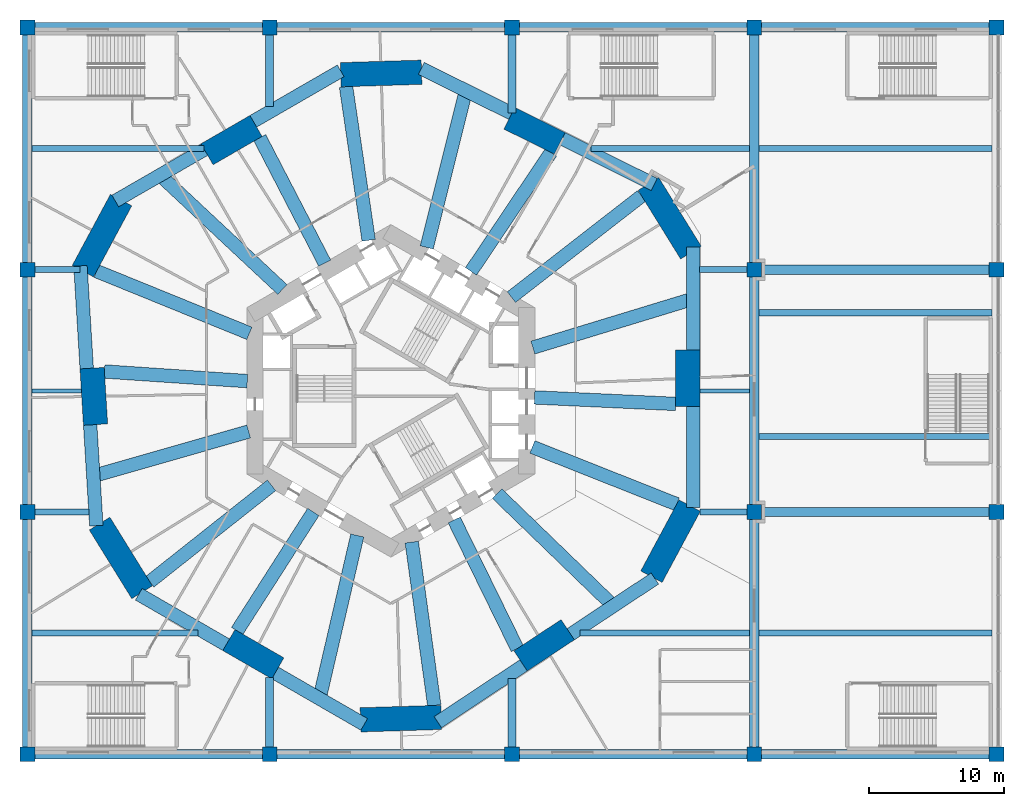
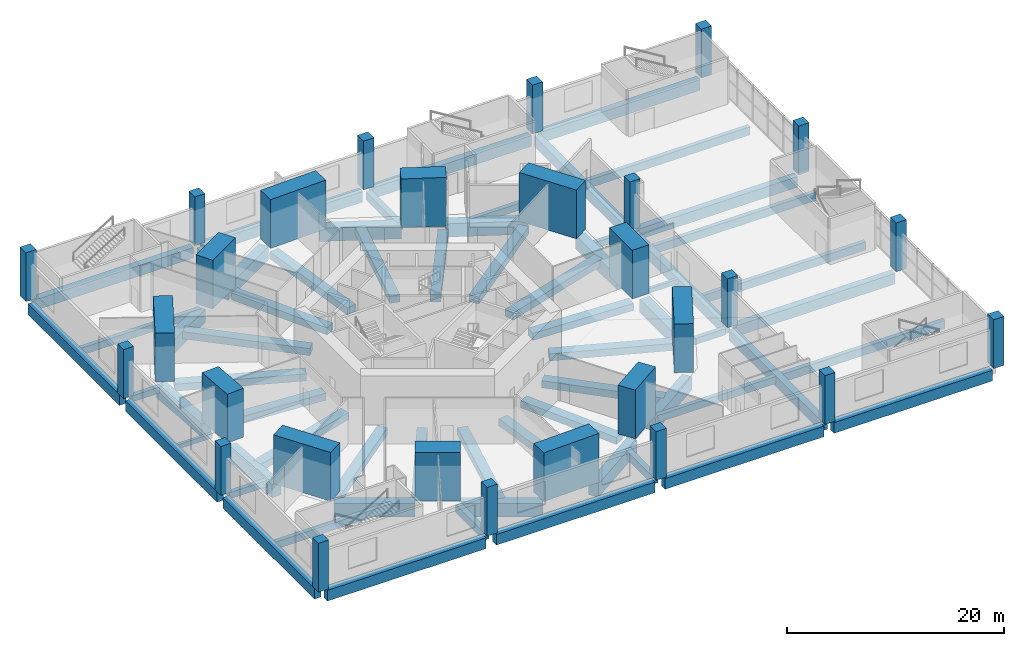
# One storey, part 1 of 16: 64 beams, 28 columns.
"""IFC4 building model written with IfcOpenShell, lengths in metres."""

import ifcopenshell
import ifcopenshell.guid

model = None  # the IFC model being written
_history = None  # IfcOwnerHistory: only IFC2X3 demands one
_inside = {}  # id of a spatial element -> (the spatial element, [elements in it])
_under = {}  # id of a project, library or spatial element -> (it, [spatial elements below it])
_declared = {}  # id of a project -> (the project, [libraries it declares])
_typed = {}  # id of a type object -> (the type object, [elements of that type])
_made_of = {}  # id of a material, layer set ... -> (it, [elements and type objects made of it])


def new_model(schema):
    """Start an empty IFC model of exactly this schema.

    Asked for "IFC4X3", IfcOpenShell would pick the latest addendum, in which some entities
    have other attributes; the version numbers below select the first issue.
    IFC2X3 requires an IfcOwnerHistory on every rooted entity: one is made here for all.
    """
    global model, _history
    if schema == "IFC4X3":
        model = ifcopenshell.file(schema_version=(4, 3, 0, 0))
    else:
        model = ifcopenshell.file(schema=schema)
    _inside.clear()
    _under.clear()
    _declared.clear()
    _typed.clear()
    _made_of.clear()
    _history = None
    if model.schema == "IFC2X3":
        org = make("IfcOrganization", Name="unknown")
        user = make(
            "IfcPersonAndOrganization",
            ThePerson=make("IfcPerson", FamilyName="unknown"),
            TheOrganization=org,
        )
        app = make(
            "IfcApplication",
            ApplicationDeveloper=org,
            Version="unknown",
            ApplicationFullName="unknown",
            ApplicationIdentifier="unknown",
        )
        _history = make(
            "IfcOwnerHistory",
            OwningUser=user,
            OwningApplication=app,
            ChangeAction="ADDED",
            CreationDate=0,
        )
    return model


def make(cls, **values):
    """One entity of the class cls with the attributes given. An attribute that is None is left unset."""
    return model.create_entity(
        cls, **{name: value for name, value in values.items() if value is not None}
    )


def rooted(cls, **values):
    """An entity with a GlobalId (a new one), such as an element, a storey or a relation."""
    return make(cls, GlobalId=ifcopenshell.guid.new(), OwnerHistory=_history, **values)


def si_unit(unit_type, name, prefix=None):
    """IfcSIUnit, for example si_unit("LENGTHUNIT", "METRE", prefix="MILLI")."""
    return make("IfcSIUnit", UnitType=unit_type, Prefix=prefix, Name=name)


def assignment(units):
    """IfcUnitAssignment: the units of a project."""
    return None if units is None else make("IfcUnitAssignment", Units=units)


def point(xyz):
    """IfcCartesianPoint."""
    return None if xyz is None else make("IfcCartesianPoint", Coordinates=xyz)


def direction(xyz):
    """IfcDirection."""
    return None if xyz is None else make("IfcDirection", DirectionRatios=xyz)


def frame(location, z_axis=None, x_axis=None):
    """IfcAxis2Placement3D, a coordinate frame: its origin and axes. An axis left out is left unset."""
    return make(
        "IfcAxis2Placement3D",
        Location=point(location),
        Axis=direction(z_axis),
        RefDirection=direction(x_axis),
    )


def frame_2d(location, x_axis=None):
    """IfcAxis2Placement2D, a coordinate frame in the plane: its origin and x axis."""
    return make(
        "IfcAxis2Placement2D", Location=point(location), RefDirection=direction(x_axis)
    )


def origin():
    """The frame at (0, 0, 0) with its axes left unset."""
    return frame((0.0, 0.0, 0.0))


def origin_2d():
    """The frame at (0, 0) in the plane with its x axis left unset."""
    return frame_2d((0.0, 0.0))


def place(relative_to, where):
    """IfcLocalPlacement: puts the frame where relative to a parent placement (None: the world)."""
    return make(
        "IfcLocalPlacement", PlacementRelTo=relative_to, RelativePlacement=where
    )


def context(
    kind, dimensions, precision=None, world=None, true_north=None, identifier=None
):
    """IfcGeometricRepresentationContext, for example the 3D "Model" context."""
    return make(
        "IfcGeometricRepresentationContext",
        ContextIdentifier=identifier,
        ContextType=kind,
        CoordinateSpaceDimension=dimensions,
        Precision=precision,
        WorldCoordinateSystem=world,
        TrueNorth=true_north,
    )


def subcontext(parent, identifier, kind, view, scale=None):
    """IfcGeometricRepresentationSubContext, for example "Body" below "Model"."""
    return make(
        "IfcGeometricRepresentationSubContext",
        ContextIdentifier=identifier,
        ContextType=kind,
        ParentContext=parent,
        TargetScale=scale,
        TargetView=view,
    )


def project(units=None, contexts=None):
    """IfcProject with its units and contexts."""
    return rooted(
        "IfcProject",
        Name="project",
        RepresentationContexts=contexts,
        UnitsInContext=assignment(units),
    )


def spatial(cls, under=None, at=None, **own):
    """A site, building, storey or space (cls), placed at a placement, below another one or the project."""
    s = rooted(cls, ObjectPlacement=at, **own)
    if under is not None:
        _under.setdefault(under.id(), (under, []))[1].append(s)
    return s


def profile(cls, at=None, kind="AREA", **sizes):
    """A parametric profile (cls). Its sizes go by their IFC names, for example OverallWidth=200.0."""
    return make(cls, ProfileType=kind, Position=at, **sizes)


def rectangle(**sizes):
    """IfcRectangleProfileDef."""
    return profile("IfcRectangleProfileDef", **sizes)


def extrude(swept, where, along, depth):
    """IfcExtrudedAreaSolid: the profile swept, set in the frame where, extruded along a direction by depth."""
    return make(
        "IfcExtrudedAreaSolid",
        SweptArea=swept,
        Position=where,
        ExtrudedDirection=direction(along),
        Depth=depth,
    )


def shape(context_of_items, identifier, shape_type, items):
    """IfcShapeRepresentation: the items that make up one representation, for example the "Body"."""
    return make(
        "IfcShapeRepresentation",
        ContextOfItems=context_of_items,
        RepresentationIdentifier=identifier,
        RepresentationType=shape_type,
        Items=items,
    )


def material(Name=None, Category=None):
    """IfcMaterial."""
    return make("IfcMaterial", Name=Name, Category=Category)


def material_profile(
    of_material, cross_section, Name=None, Category=None, Priority=None
):
    """IfcMaterialProfile: a cross section and its material."""
    return make(
        "IfcMaterialProfile",
        Name=Name,
        Material=of_material,
        Profile=cross_section,
        Priority=Priority,
        Category=Category,
    )


def profile_set(profiles, Name=None, composite=None):
    """IfcMaterialProfileSet."""
    return make(
        "IfcMaterialProfileSet",
        Name=Name,
        MaterialProfiles=profiles,
        CompositeProfile=composite,
    )


def made_of(thing, what):
    """Note that an element or type object is made of a material, layer set ...; save() writes the relation."""
    if what is not None:
        _made_of.setdefault(what.id(), (what, []))[1].append(thing)
    return thing


def type_object(cls, material=None, **own):
    """A type object (cls), such as IfcWallType, which elements share."""
    return made_of(rooted(cls, **own), material)


def element(
    cls,
    number,
    at=None,
    inside=None,
    cuts=None,
    type_object=None,
    material=None,
    context=None,
    identifier="Body",
    shape_type=None,
    held_by="IfcProductDefinitionShape",
    body=None,
    shapes=None,
    **own,
):
    """One element of the class cls, such as IfcWall. Its Tag is "e" and its number.

    at: its placement. inside: the storey or other place that contains it. cuts: it is an
    opening in that element (IfcRelVoidsElement). A single representation is given by context,
    identifier, shape_type and body (its items); several are given by shapes. held_by: the class
    of the entity that holds the representations. save() writes the other relations.
    """
    e = rooted(cls, Tag="e%d" % number, ObjectPlacement=at, **own)
    if body is not None:
        shapes = [shape(context, identifier, shape_type, body)]
    if shapes is not None:
        e.Representation = make(held_by, Representations=shapes)
    if inside is not None:
        _inside.setdefault(inside.id(), (inside, []))[1].append(e)
    if cuts is not None:
        rooted(
            "IfcRelVoidsElement", RelatingBuildingElement=cuts, RelatedOpeningElement=e
        )
    if type_object is not None:
        _typed.setdefault(type_object.id(), (type_object, []))[1].append(e)
    return made_of(e, material)


def aggregate(whole, parts):
    """IfcRelAggregates: a whole, such as a stair, and the parts it consists of."""
    return rooted("IfcRelAggregates", RelatingObject=whole, RelatedObjects=parts)


def save(model, path):
    """Write the relations noted so far, then the file.

    IfcRelAggregates (storeys below a building ...), IfcRelContainedInSpatialStructure (elements
    in a storey), IfcRelDefinesByType, IfcRelAssociatesMaterial and IfcRelDeclares: one each for
    every whole, place, type object, material and project.
    """
    for whole, parts in _under.values():
        aggregate(whole, parts)
    for where, things in _inside.values():
        rooted(
            "IfcRelContainedInSpatialStructure",
            RelatedElements=things,
            RelatingStructure=where,
        )
    for kind, things in _typed.values():
        rooted("IfcRelDefinesByType", RelatedObjects=things, RelatingType=kind)
    for what, things in _made_of.values():
        rooted("IfcRelAssociatesMaterial", RelatedObjects=things, RelatingMaterial=what)
    for by, libraries in _declared.values():
        rooted("IfcRelDeclares", RelatingContext=by, RelatedDefinitions=libraries)
    model.write(path)


model = new_model("IFC4")

# Units and contexts
model_context = context("Model", 3, precision=1e-05, world=origin(), true_north=direction((0.0, 1.0)))
body_context = subcontext(model_context, "Body", "Model", "MODEL_VIEW")
ifc_project = project(units=[si_unit("LENGTHUNIT", "METRE"), si_unit("AREAUNIT", "SQUARE_METRE"), si_unit("VOLUMEUNIT", "CUBIC_METRE"), si_unit("PLANEANGLEUNIT", "RADIAN"), si_unit("MASSUNIT", "GRAM", prefix="KILO")], contexts=[model_context])

# Site, building, storey
site_placement = place(None, origin())
site = spatial("IfcSite", under=ifc_project, at=site_placement, CompositionType="ELEMENT")
building_placement = place(site_placement, origin())
building = spatial("IfcBuilding", under=site, at=building_placement, Name="Vanh Sen Convention Tower", CompositionType="ELEMENT")
storey_placement = place(building_placement, frame((0.0, 0.0, 7.5)))
storey = spatial("IfcBuildingStorey", under=building, at=storey_placement, Name="L01", CompositionType="ELEMENT", Elevation=7.5)

# Columns
ifc_material_1 = material(Name="Concrete C80/95", Category="concrete")
ifc_material_profile_1 = material_profile(ifc_material_1, rectangle(XDim=4.199951171875, YDim=1.800048828125, at=origin_2d()), Name="RC 4200X1800")
ifc_profile_set_1 = profile_set([ifc_material_profile_1], Name="Concrete C80/95")
column_type_1 = type_object("IfcColumnType", Name="Mega column 4200 x 1800 C80/95", PredefinedType="COLUMN", material=ifc_profile_set_1)
for number, where, z_axis, x_axis, name in (
    (1, (22.050048828125, 0.937255859375, 0.0), (0.0, 0.0, 1.0), (0.0, 1.0, 0.0), "Mega column 01 L01"),
    (2, (10.677490234375, 19.315185546875, 0.0), (0.0, 0.0, 1.0), (-0.894935140363, 0.446196251154, 0.0), "Mega column 03 L01"),
    (3, (-11.836669921875, 18.627197265625, 0.0), (0.0, 0.0, 1.0), (-0.866028021766, -0.499995465495, 0.0), "Mega column 05 L01"),
    (4, (-22.06591796875, -0.41064453125, 0.0), (0.0, 0.0, 1.0), (0.061046797461, -0.99813490497, 0.0), "Mega column 07 L01"),
    (5, (-10.21337890625, -19.564453125, 0.0), (0.0, 0.0, 1.0), (0.866028021766, -0.499995465495, 0.0), "Mega column 09 L01"),
    (6, (11.388671875, -18.904541015625, 0.0), (0.0, 0.0, 1.0), (0.833880042151, 0.551945717714, 0.0), "Mega column 11 L01"),
):
    element("IfcColumn", number, at=place(storey_placement, frame(where, z_axis=z_axis, x_axis=x_axis)), inside=storey, type_object=column_type_1, Name=name, PredefinedType="COLUMN", context=body_context, shape_type="SweptSolid", body=[
        extrude(rectangle(XDim=4.199951171875, YDim=1.800048828125, at=origin_2d()), origin(), (0.0, 0.0, 1.0), 5.5),
    ])
ifc_material_profile_2 = material_profile(ifc_material_1, rectangle(XDim=6.0, YDim=1.800048828125, at=origin_2d()), Name="RC 6000X1800")
ifc_profile_set_2 = profile_set([ifc_material_profile_2], Name="Concrete C80/95")
column_type_2 = type_object("IfcColumnType", Name="Mega column 6000 x 1800 C80/95", PredefinedType="COLUMN", material=ifc_profile_set_2)
for number, where, z_axis, x_axis, name in (
    (7, (20.71435546875, 12.818359375, 0.0), (0.0, 0.0, 1.0), (-0.526210955359, 0.850354061823, 0.0), "Mega column 02 L01"),
    (8, (-0.72021484375, 23.5771484375, 0.0), (0.0, 0.0, 1.0), (-0.999533644135, -0.030536768695, 0.0), "Mega column 04 L01"),
    (9, (-21.458251953125, 11.52978515625, 0.0), (0.0, 0.0, 1.0), (-0.473316592293, -0.880892390397, 0.0), "Mega column 06 L01"),
    (10, (-20.058349609375, -12.41259765625, 0.0), (0.0, 0.0, 1.0), (0.526202050444, -0.850359572245, 0.0), "Mega column 08 L01"),
    (11, (0.743896484375, -24.348388671875, 0.0), (0.0, 0.0, 1.0), (0.999533484231, 0.03054200224, 0.0), "Mega column 10 L01"),
    (12, (20.778564453125, -11.164794921875, 0.0), (0.0, 0.0, 1.0), (0.473322742071, 0.880889086003, 0.0), "Mega column 12 L01"),
):
    element("IfcColumn", number, at=place(storey_placement, frame(where, z_axis=z_axis, x_axis=x_axis)), inside=storey, type_object=column_type_2, Name=name, PredefinedType="COLUMN", context=body_context, shape_type="SweptSolid", body=[
        extrude(rectangle(XDim=6.0, YDim=1.800048828125, at=origin_2d()), origin(), (0.0, 0.0, 1.0), 5.5),
    ])
ifc_material_profile_3 = material_profile(ifc_material_1, rectangle(XDim=1.10009765625, YDim=1.10009765625, at=origin_2d()), Name="RC 1100X1100")
ifc_profile_set_3 = profile_set([ifc_material_profile_3], Name="Concrete C80/95")
column_type_3 = type_object("IfcColumnType", Name="Podium column 1100 x 1100 C80/95", PredefinedType="COLUMN", material=ifc_profile_set_3)
for number, where, z_axis, x_axis, name in (
    (13, (-27.0, -27.0, 0.0), (0.0, 0.0, 1.0), (1.0, 0.0, 0.0), "Podium column 01 L01"),
    (14, (-27.0, -9.0, 0.0), (0.0, 0.0, 1.0), (1.0, 0.0, 0.0), "Podium column 02 L01"),
    (15, (-27.0, 9.0, 0.0), (0.0, 0.0, 1.0), (1.0, 0.0, 0.0), "Podium column 03 L01"),
    (16, (-27.0, 27.0, 0.0), (0.0, 0.0, 1.0), (1.0, 0.0, 0.0), "Podium column 04 L01"),
    (17, (-9.0, -27.0, 0.0), (0.0, 0.0, 1.0), (1.0, 0.0, 0.0), "Podium column 05 L01"),
    (18, (-9.0, 27.0, 0.0), (0.0, 0.0, 1.0), (1.0, 0.0, 0.0), "Podium column 06 L01"),
    (19, (9.0, -27.0, 0.0), (0.0, 0.0, 1.0), (1.0, 0.0, 0.0), "Podium column 07 L01"),
    (20, (9.0, 27.0, 0.0), (0.0, 0.0, 1.0), (1.0, 0.0, 0.0), "Podium column 08 L01"),
    (21, (27.0, -27.0, 0.0), (0.0, 0.0, 1.0), (1.0, 0.0, 0.0), "Podium column 09 L01"),
    (22, (27.0, -9.0, 0.0), (0.0, 0.0, 1.0), (1.0, 0.0, 0.0), "Podium column 10 L01"),
    (23, (27.0, 9.0, 0.0), (0.0, 0.0, 1.0), (1.0, 0.0, 0.0), "Podium column 11 L01"),
    (24, (27.0, 27.0, 0.0), (0.0, 0.0, 1.0), (1.0, 0.0, 0.0), "Podium column 12 L01"),
    (25, (45.0, -27.0, 0.0), (0.0, 0.0, 1.0), (1.0, 0.0, 0.0), "Podium column 13 L01"),
    (26, (45.0, -9.0, 0.0), (0.0, 0.0, 1.0), (1.0, 0.0, 0.0), "Podium column 14 L01"),
    (27, (45.0, 9.0, 0.0), (0.0, 0.0, 1.0), (1.0, 0.0, 0.0), "Podium column 15 L01"),
    (28, (45.0, 27.0, 0.0), (0.0, 0.0, 1.0), (1.0, 0.0, 0.0), "Podium column 16 L01"),
):
    element("IfcColumn", number, at=place(storey_placement, frame(where, z_axis=z_axis, x_axis=x_axis)), inside=storey, type_object=column_type_3, Name=name, PredefinedType="COLUMN", context=body_context, shape_type="SweptSolid", body=[
        extrude(rectangle(XDim=1.10009765625, YDim=1.10009765625, at=origin_2d()), origin(), (0.0, 0.0, 1.0), 5.5),
    ])

# Beams
ifc_material_2 = material(Name="Concrete C50/60", Category="concrete")
ifc_material_profile_4 = material_profile(ifc_material_2, rectangle(XDim=0.449951171875, YDim=0.699951171875, at=origin_2d()), Name="RC 450X700")
ifc_profile_set_4 = profile_set([ifc_material_profile_4], Name="Concrete C50/60")
beam_type_1 = type_object("IfcBeamType", Name="Podium girder 450 x 700", PredefinedType="BEAM", material=ifc_profile_set_4)
beam_1_placement = place(storey_placement, frame((-26.455078125, -9.0, -0.64990234375), z_axis=(1.0, 0.0, 0.0), x_axis=(0.0, 1.0, 0.0)))
element("IfcBeam", 29, at=beam_1_placement, inside=storey, type_object=beam_type_1, Name="Podium girder 18 L01", PredefinedType="BEAM", context=body_context, shape_type="SweptSolid", body=[
    extrude(rectangle(XDim=0.449951171875, YDim=0.699951171875, at=origin_2d()), origin(), (0.0, 0.0, 1.0), 4.031494140625),
])
beam_2_placement = place(storey_placement, frame((22.96337890625, -9.0, -0.64990234375), z_axis=(1.0, 0.0, 0.0), x_axis=(0.0, 1.0, 0.0)))
element("IfcBeam", 30, at=beam_2_placement, inside=storey, type_object=beam_type_1, Name="Podium girder 19 L01", PredefinedType="BEAM", context=body_context, shape_type="SweptSolid", body=[
    extrude(rectangle(XDim=0.449951171875, YDim=0.699951171875, at=origin_2d()), origin(), (0.0, 0.0, 1.0), 3.49169921875),
])
beam_3_placement = place(storey_placement, frame((-26.455078125, 9.0, -0.64990234375), z_axis=(1.0, 0.0, 0.0), x_axis=(0.0, 1.0, 0.0)))
element("IfcBeam", 31, at=beam_3_placement, inside=storey, type_object=beam_type_1, Name="Podium girder 21 L01", PredefinedType="BEAM", context=body_context, shape_type="SweptSolid", body=[
    extrude(rectangle(XDim=0.449951171875, YDim=0.699951171875, at=origin_2d()), origin(), (0.0, 0.0, 1.0), 3.366943359375),
])
beam_4_placement = place(storey_placement, frame((22.945068359375, 9.0, -0.64990234375), z_axis=(1.0, 0.0, 0.0), x_axis=(0.0, 1.0, 0.0)))
element("IfcBeam", 32, at=beam_4_placement, inside=storey, type_object=beam_type_1, Name="Podium girder 22 L01", PredefinedType="BEAM", context=body_context, shape_type="SweptSolid", body=[
    extrude(rectangle(XDim=0.449951171875, YDim=0.699951171875, at=origin_2d()), origin(), (0.0, 0.0, 1.0), 3.510009765625),
])
ifc_material_profile_5 = material_profile(ifc_material_2, rectangle(XDim=0.60009765625, YDim=0.89990234375, at=origin_2d()), Name="RC 600X900")
ifc_profile_set_5 = profile_set([ifc_material_profile_5], Name="Concrete C50/60")
beam_type_2 = type_object("IfcBeamType", Name="Podium girder 600 x 900", PredefinedType="BEAM", material=ifc_profile_set_5)
beam_5_placement = place(storey_placement, frame((-9.0, -26.455078125, -0.75), z_axis=(0.0, 1.0, 0.0), x_axis=(-1.0, 0.0, 0.0)))
element("IfcBeam", 33, at=beam_5_placement, inside=storey, type_object=beam_type_2, Name="Podium girder 04 L01", PredefinedType="BEAM", context=body_context, shape_type="SweptSolid", body=[
    extrude(rectangle(XDim=0.60009765625, YDim=0.89990234375, at=origin_2d()), origin(), (0.0, 0.0, 1.0), 5.156005859375),
])
beam_6_placement = place(storey_placement, frame((-9.0, 21.1259765625, -0.75), z_axis=(0.0, 1.0, 0.0), x_axis=(-1.0, 0.0, 0.0)))
element("IfcBeam", 34, at=beam_6_placement, inside=storey, type_object=beam_type_2, Name="Podium girder 05 L01", PredefinedType="BEAM", context=body_context, shape_type="SweptSolid", body=[
    extrude(rectangle(XDim=0.60009765625, YDim=0.89990234375, at=origin_2d()), origin(), (0.0, 0.0, 1.0), 5.3291015625),
])
beam_7_placement = place(storey_placement, frame((9.0, -26.455078125, -0.75), z_axis=(0.0, 1.0, 0.0), x_axis=(-1.0, 0.0, 0.0)))
element("IfcBeam", 35, at=beam_7_placement, inside=storey, type_object=beam_type_2, Name="Podium girder 06 L01", PredefinedType="BEAM", context=body_context, shape_type="SweptSolid", body=[
    extrude(rectangle(XDim=0.60009765625, YDim=0.89990234375, at=origin_2d()), origin(), (0.0, 0.0, 1.0), 5.093994140625),
])
beam_8_placement = place(storey_placement, frame((9.0, 20.652099609375, -0.75), z_axis=(0.0, 1.0, 0.0), x_axis=(-1.0, 0.0, 0.0)))
element("IfcBeam", 36, at=beam_8_placement, inside=storey, type_object=beam_type_2, Name="Podium girder 07 L01", PredefinedType="BEAM", context=body_context, shape_type="SweptSolid", body=[
    extrude(rectangle(XDim=0.60009765625, YDim=0.89990234375, at=origin_2d()), origin(), (0.0, 0.0, 1.0), 5.802978515625),
])
ifc_material_profile_6 = material_profile(ifc_material_2, rectangle(XDim=0.699951171875, YDim=1.199951171875, at=origin_2d()), Name="RC 700X1200")
ifc_profile_set_6 = profile_set([ifc_material_profile_6], Name="Concrete C50/60")
beam_type_3 = type_object("IfcBeamType", Name="Podium girder 700 x 1200", PredefinedType="BEAM", material=ifc_profile_set_6)
for number, where, z_axis, x_axis, name in (
    (37, (-27.0, -26.455078125, -0.89990234375), (0.0, 1.0, 0.0), (-1.0, 0.0, 0.0), "Podium girder 01 L01"),
    (38, (-27.0, -8.455078125, -0.89990234375), (0.0, 1.0, 0.0), (-1.0, 0.0, 0.0), "Podium girder 02 L01"),
    (39, (-27.0, 9.544921875, -0.89990234375), (0.0, 1.0, 0.0), (-1.0, 0.0, 0.0), "Podium girder 03 L01"),
    (40, (27.0, -26.455078125, -0.89990234375), (0.0, 1.0, 0.0), (-1.0, 0.0, 0.0), "Podium girder 08 L01"),
    (41, (27.0, -8.455078125, -0.89990234375), (0.0, 1.0, 0.0), (-1.0, 0.0, 0.0), "Podium girder 09 L01"),
    (42, (27.0, 9.544921875, -0.89990234375), (0.0, 1.0, 0.0), (-1.0, 0.0, 0.0), "Podium girder 10 L01"),
    (43, (-26.455078125, -27.0, -0.89990234375), (1.0, 0.0, 0.0), (0.0, 1.0, 0.0), "Podium girder 14 L01"),
    (44, (-8.455078125, -27.0, -0.89990234375), (1.0, 0.0, 0.0), (0.0, 1.0, 0.0), "Podium girder 15 L01"),
    (45, (9.544921875, -27.0, -0.89990234375), (1.0, 0.0, 0.0), (0.0, 1.0, 0.0), "Podium girder 16 L01"),
    (46, (27.544921875, -27.0, -0.89990234375), (1.0, 0.0, 0.0), (0.0, 1.0, 0.0), "Podium girder 17 L01"),
    (47, (27.544921875, -9.0, -0.89990234375), (1.0, 0.0, 0.0), (0.0, 1.0, 0.0), "Podium girder 20 L01"),
    (48, (27.544921875, 9.0, -0.89990234375), (1.0, 0.0, 0.0), (0.0, 1.0, 0.0), "Podium girder 23 L01"),
    (49, (-26.455078125, 27.0, -0.89990234375), (1.0, 0.0, 0.0), (0.0, 1.0, 0.0), "Podium girder 24 L01"),
    (50, (-8.455078125, 27.0, -0.89990234375), (1.0, 0.0, 0.0), (0.0, 1.0, 0.0), "Podium girder 25 L01"),
    (51, (9.544921875, 27.0, -0.89990234375), (1.0, 0.0, 0.0), (0.0, 1.0, 0.0), "Podium girder 26 L01"),
    (52, (27.544921875, 27.0, -0.89990234375), (1.0, 0.0, 0.0), (0.0, 1.0, 0.0), "Podium girder 27 L01"),
):
    element("IfcBeam", number, at=place(storey_placement, frame(where, z_axis=z_axis, x_axis=x_axis)), inside=storey, type_object=beam_type_3, Name=name, PredefinedType="BEAM", context=body_context, shape_type="SweptSolid", body=[
        extrude(rectangle(XDim=0.699951171875, YDim=1.199951171875, at=origin_2d()), origin(), (0.0, 0.0, 1.0), 16.91015625),
    ])
ifc_material_profile_7 = material_profile(ifc_material_2, rectangle(XDim=1.0, YDim=1.5, at=origin_2d()), Name="RC 1000X1500")
ifc_profile_set_7 = profile_set([ifc_material_profile_7], Name="Concrete C50/60")
beam_type_4 = type_object("IfcBeamType", Name="Podium ring girder 1000 x 1500", PredefinedType="BEAM", material=ifc_profile_set_7)
beam_9_placement = place(storey_placement, frame((22.449951171875, 3.0322265625, -1.050048828125), z_axis=(0.0, 1.0, 0.0), x_axis=(-1.0, 0.0, 0.0)))
element("IfcBeam", 53, at=beam_9_placement, inside=storey, type_object=beam_type_4, Name="Ring girder 01 L01", PredefinedType="BEAM", context=body_context, shape_type="SweptSolid", body=[
    extrude(rectangle(XDim=1.0, YDim=1.5, at=origin_2d()), origin(), (0.0, 0.0, 1.0), 7.646728515625),
])
beam_10_placement = place(storey_placement, frame((19.57421875, 15.326416015625, -1.050048828125), z_axis=(-0.894943809109, 0.44617886384, 0.0), x_axis=(-0.44617886384, -0.894943809109, 0.0)))
element("IfcBeam", 54, at=beam_10_placement, inside=storey, type_object=beam_type_4, Name="Ring girder 02 L01", PredefinedType="BEAM", context=body_context, shape_type="SweptSolid", body=[
    extrude(rectangle(XDim=1.0, YDim=1.5, at=origin_2d()), origin(), (0.0, 0.0, 1.0), 7.64697265625),
])
beam_11_placement = place(storey_placement, frame((9.069580078125, 20.563720703125, -1.050048828125), z_axis=(-0.894933951272, 0.446198636105, 0.0), x_axis=(-0.446198636105, -0.894933951272, 0.0)))
element("IfcBeam", 55, at=beam_11_placement, inside=storey, type_object=beam_type_4, Name="Ring girder 03 L01", PredefinedType="BEAM", context=body_context, shape_type="SweptSolid", body=[
    extrude(rectangle(XDim=1.0, YDim=1.5, at=origin_2d()), origin(), (0.0, 0.0, 1.0), 7.603271484375),
])
beam_12_placement = place(storey_placement, frame((-3.723388671875, 23.7734375, -1.050048828125), z_axis=(-0.866012220445, -0.500022833518, 0.0), x_axis=(0.500022833518, -0.866012220445, 0.0)))
element("IfcBeam", 56, at=beam_12_placement, inside=storey, type_object=beam_type_4, Name="Ring girder 04 L01", PredefinedType="BEAM", context=body_context, shape_type="SweptSolid", body=[
    extrude(rectangle(XDim=1.0, YDim=1.5, at=origin_2d()), origin(), (0.0, 0.0, 1.0), 7.504638671875),
])
for number, where, z_axis, x_axis, name in (
    (57, (-13.85107421875, 17.926025390625, -1.050048828125), (-0.866026077102, -0.499998833779, 0.0), (0.499998833779, -0.866026077102, 0.0), "Ring girder 05 L01"),
    (58, (-23.06005859375, 9.288330078125, -1.050048828125), (0.061046445508, -0.998134926496, 0.0), (0.998134926496, 0.061046445508, 0.0), "Ring girder 06 L01"),
):
    element("IfcBeam", number, at=place(storey_placement, frame(where, z_axis=z_axis, x_axis=x_axis)), inside=storey, type_object=beam_type_4, Name=name, PredefinedType="BEAM", context=body_context, shape_type="SweptSolid", body=[
        extrude(rectangle(XDim=1.0, YDim=1.5, at=origin_2d()), origin(), (0.0, 0.0, 1.0), 7.646484375),
    ])
for number, where, z_axis, x_axis, name in (
    (59, (-22.33740234375, -2.526123046875, -1.050048828125), (0.061031350148, -0.998135849621, 0.0), (0.998135849621, 0.061031350148, 0.0), "Ring girder 07 L01"),
    (60, (-18.726806640625, -15.111083984375, -1.050048828125), (0.866026307698, -0.499998434373, 0.0), (0.499998434373, 0.866026307698, 0.0), "Ring girder 08 L01"),
):
    element("IfcBeam", number, at=place(storey_placement, frame(where, z_axis=z_axis, x_axis=x_axis)), inside=storey, type_object=beam_type_4, Name=name, PredefinedType="BEAM", context=body_context, shape_type="SweptSolid", body=[
        extrude(rectangle(XDim=1.0, YDim=1.5, at=origin_2d()), origin(), (0.0, 0.0, 1.0), 7.50439453125),
    ])
beam_13_placement = place(storey_placement, frame((-8.59912109375, -20.958251953125, -1.050048828125), z_axis=(0.866020233978, -0.500008954261, 0.0), x_axis=(0.500008954261, 0.866020233978, 0.0)))
element("IfcBeam", 61, at=beam_13_placement, inside=storey, type_object=beam_type_4, Name="Ring girder 09 L01", PredefinedType="BEAM", context=body_context, shape_type="SweptSolid", body=[
    extrude(rectangle(XDim=1.0, YDim=1.5, at=origin_2d()), origin(), (0.0, 0.0, 1.0), 7.646728515625),
])
beam_14_placement = place(storey_placement, frame((3.486083984375, -24.61474609375, -1.050048828125), z_axis=(0.833877643649, 0.551949341355, 0.0), x_axis=(-0.551949341355, 0.833877643649, 0.0)))
element("IfcBeam", 62, at=beam_14_placement, inside=storey, type_object=beam_type_4, Name="Ring girder 10 L01", PredefinedType="BEAM", context=body_context, shape_type="SweptSolid", body=[
    extrude(rectangle(XDim=1.0, YDim=1.5, at=origin_2d()), origin(), (0.0, 0.0, 1.0), 7.934814453125),
])
for number, where, z_axis, x_axis, name in (
    (63, (13.3564453125, -18.081787109375, -1.050048828125), (0.83387759724, 0.551949411469, 0.0), (-0.551949411469, 0.83387759724, 0.0), "Ring girder 11 L01"),
    (64, (22.449951171875, -8.662109375, -1.050048828125), (0.0, 1.0, 0.0), (-1.0, 0.0, 0.0), "Ring girder 12 L01"),
):
    element("IfcBeam", number, at=place(storey_placement, frame(where, z_axis=z_axis, x_axis=x_axis)), inside=storey, type_object=beam_type_4, Name=name, PredefinedType="BEAM", context=body_context, shape_type="SweptSolid", body=[
        extrude(rectangle(XDim=1.0, YDim=1.5, at=origin_2d()), origin(), (0.0, 0.0, 1.0), 7.50439453125),
    ])
ifc_material_profile_8 = material_profile(ifc_material_2, rectangle(XDim=0.300048828125, YDim=0.5, at=origin_2d()), Name="RC 300X500")
ifc_profile_set_8 = profile_set([ifc_material_profile_8], Name="Concrete C50/60")
beam_type_5 = type_object("IfcBeamType", Name="Podium secondary beam 300 x 500", PredefinedType="BEAM", material=ifc_profile_set_8)
beam_15_placement = place(storey_placement, frame((-26.655029296875, 0.0, -0.550048828125), z_axis=(1.0, 0.0, 0.0), x_axis=(0.0, 1.0, 0.0)))
element("IfcBeam", 65, at=beam_15_placement, inside=storey, type_object=beam_type_5, Name="Podium secondary beam 04 L01", PredefinedType="BEAM", context=body_context, shape_type="SweptSolid", body=[
    extrude(rectangle(XDim=0.300048828125, YDim=0.5, at=origin_2d()), origin(), (0.0, 0.0, 1.0), 3.662109375),
])
beam_16_placement = place(storey_placement, frame((22.949951171875, 0.0, -0.550048828125), z_axis=(1.0, 0.0, 0.0), x_axis=(0.0, 1.0, 0.0)))
element("IfcBeam", 66, at=beam_16_placement, inside=storey, type_object=beam_type_5, Name="Podium secondary beam 05 L01", PredefinedType="BEAM", context=body_context, shape_type="SweptSolid", body=[
    extrude(rectangle(XDim=0.300048828125, YDim=0.5, at=origin_2d()), origin(), (0.0, 0.0, 1.0), 3.705078125),
])
ifc_material_profile_9 = material_profile(ifc_material_2, rectangle(XDim=0.449951171875, YDim=0.800048828125, at=origin_2d()), Name="RC 450X800")
ifc_profile_set_9 = profile_set([ifc_material_profile_9], Name="Concrete C50/60")
beam_type_6 = type_object("IfcBeamType", Name="Podium secondary beam 450 x 800", PredefinedType="BEAM", material=ifc_profile_set_9)
beam_17_placement = place(storey_placement, frame((-26.655029296875, -18.0, -0.699951171875), z_axis=(1.0, 0.0, 0.0), x_axis=(0.0, 1.0, 0.0)))
element("IfcBeam", 67, at=beam_17_placement, inside=storey, type_object=beam_type_6, Name="Podium secondary beam 01 L01", PredefinedType="BEAM", context=body_context, shape_type="SweptSolid", body=[
    extrude(rectangle(XDim=0.449951171875, YDim=0.800048828125, at=origin_2d()), origin(), (0.0, 0.0, 1.0), 12.32666015625),
])
beam_18_placement = place(storey_placement, frame((14.041015625, -18.0, -0.699951171875), z_axis=(1.0, 0.0, 0.0), x_axis=(0.0, 1.0, 0.0)))
element("IfcBeam", 68, at=beam_18_placement, inside=storey, type_object=beam_type_6, Name="Podium secondary beam 02 L01", PredefinedType="BEAM", context=body_context, shape_type="SweptSolid", body=[
    extrude(rectangle(XDim=0.449951171875, YDim=0.800048828125, at=origin_2d()), origin(), (0.0, 0.0, 1.0), 12.614013671875),
])
beam_19_placement = place(storey_placement, frame((-26.655029296875, 18.0, -0.699951171875), z_axis=(1.0, 0.0, 0.0), x_axis=(0.0, 1.0, 0.0)))
element("IfcBeam", 69, at=beam_19_placement, inside=storey, type_object=beam_type_6, Name="Podium secondary beam 08 L01", PredefinedType="BEAM", context=body_context, shape_type="SweptSolid", body=[
    extrude(rectangle(XDim=0.449951171875, YDim=0.800048828125, at=origin_2d()), origin(), (0.0, 0.0, 1.0), 12.760498046875),
])
beam_20_placement = place(storey_placement, frame((14.8759765625, 18.0, -0.699951171875), z_axis=(1.0, 0.0, 0.0), x_axis=(0.0, 1.0, 0.0)))
element("IfcBeam", 70, at=beam_20_placement, inside=storey, type_object=beam_type_6, Name="Podium secondary beam 09 L01", PredefinedType="BEAM", context=body_context, shape_type="SweptSolid", body=[
    extrude(rectangle(XDim=0.449951171875, YDim=0.800048828125, at=origin_2d()), origin(), (0.0, 0.0, 1.0), 11.779052734375),
])
ifc_material_profile_10 = material_profile(ifc_material_2, rectangle(XDim=0.449951171875, YDim=0.89990234375, at=origin_2d()), Name="RC 450X900")
ifc_profile_set_10 = profile_set([ifc_material_profile_10], Name="Concrete C50/60")
beam_type_7 = type_object("IfcBeamType", Name="Podium secondary beam 450 x 900", PredefinedType="BEAM", material=ifc_profile_set_10)
for number, where, z_axis, x_axis, name in (
    (71, (27.344970703125, -18.0, -0.75), (1.0, 0.0, 0.0), (0.0, 1.0, 0.0), "Podium secondary beam 03 L01"),
    (72, (27.344970703125, -3.3994140625, -0.75), (1.0, 0.0, 0.0), (0.0, 1.0, 0.0), "Podium secondary beam 06 L01"),
    (73, (27.344970703125, 5.800048828125, -0.75), (1.0, 0.0, 0.0), (0.0, 1.0, 0.0), "Podium secondary beam 07 L01"),
    (74, (27.344970703125, 18.0, -0.75), (1.0, 0.0, 0.0), (0.0, 1.0, 0.0), "Podium secondary beam 10 L01"),
):
    element("IfcBeam", number, at=place(storey_placement, frame(where, z_axis=z_axis, x_axis=x_axis)), inside=storey, type_object=beam_type_7, Name=name, PredefinedType="BEAM", context=body_context, shape_type="SweptSolid", body=[
        extrude(rectangle(XDim=0.449951171875, YDim=0.89990234375, at=origin_2d()), origin(), (0.0, 0.0, 1.0), 17.31005859375),
    ])
ifc_material_profile_11 = material_profile(ifc_material_2, rectangle(XDim=1.0, YDim=0.800048828125, at=origin_2d()), Name="RC 1000X800")
ifc_profile_set_11 = profile_set([ifc_material_profile_11], Name="Concrete C50/60")
beam_type_8 = type_object("IfcBeamType", Name="Radial floor beam 1000 x 800", PredefinedType="BEAM", material=ifc_profile_set_11)
beam_21_placement = place(storey_placement, frame((21.238037109375, -8.418701171875, -0.699951171875), z_axis=(-0.929626395453, 0.368503412299, 0.0), x_axis=(-0.368503412299, -0.929626395453, 0.0)))
element("IfcBeam", 75, at=beam_21_placement, inside=storey, type_object=beam_type_8, Name="Radial beam 01 L01", PredefinedType="BEAM", context=body_context, shape_type="SweptSolid", body=[
    extrude(rectangle(XDim=1.0, YDim=0.800048828125, at=origin_2d()), origin(), (0.0, 0.0, 1.0), 11.5390625),
])
beam_22_placement = place(storey_placement, frame((21.155029296875, -0.970703125, -0.699951171875), z_axis=(-0.998949166628, 0.045831893853, 0.0), x_axis=(-0.045831893853, -0.998949166628, 0.0)))
element("IfcBeam", 76, at=beam_22_placement, inside=storey, type_object=beam_type_8, Name="Radial beam 02 L01", PredefinedType="BEAM", context=body_context, shape_type="SweptSolid", body=[
    extrude(rectangle(XDim=1.0, YDim=0.800048828125, at=origin_2d()), origin(), (0.0, 0.0, 1.0), 10.493896484375),
])
beam_23_placement = place(storey_placement, frame((22.1005859375, 6.732666015625, -0.699951171875), z_axis=(-0.95659843119, -0.291409405211, 0.0), x_axis=(0.291409405211, -0.95659843119, 0.0)))
element("IfcBeam", 77, at=beam_23_placement, inside=storey, type_object=beam_type_8, Name="Radial beam 03 L01", PredefinedType="BEAM", context=body_context, shape_type="SweptSolid", body=[
    extrude(rectangle(XDim=1.0, YDim=0.800048828125, at=origin_2d()), origin(), (0.0, 0.0, 1.0), 12.0751953125),
])
beam_24_placement = place(storey_placement, frame((18.630615234375, 14.484619140625, -0.699951171875), z_axis=(-0.789469121042, -0.613790279265, 0.0), x_axis=(0.613790279265, -0.789469121042, 0.0)))
element("IfcBeam", 78, at=beam_24_placement, inside=storey, type_object=beam_type_8, Name="Radial beam 04 L01", PredefinedType="BEAM", context=body_context, shape_type="SweptSolid", body=[
    extrude(rectangle(XDim=1.0, YDim=0.800048828125, at=origin_2d()), origin(), (0.0, 0.0, 1.0), 12.255859375),
])
beam_25_placement = place(storey_placement, frame((11.888671875, 17.7109375, -0.699951171875), z_axis=(-0.557333016414, -0.830289051364, 0.0), x_axis=(0.830289051364, -0.557333016414, 0.0)))
element("IfcBeam", 79, at=beam_25_placement, inside=storey, type_object=beam_type_8, Name="Radial beam 05 L01", PredefinedType="BEAM", context=body_context, shape_type="SweptSolid", body=[
    extrude(rectangle(XDim=1.0, YDim=0.800048828125, at=origin_2d()), origin(), (0.0, 0.0, 1.0), 10.6455078125),
])
beam_26_placement = place(storey_placement, frame((5.47802734375, 21.921875, -0.699951171875), z_axis=(-0.242426812684, -0.97016969675, 0.0), x_axis=(0.97016969675, -0.242426812684, 0.0)))
element("IfcBeam", 80, at=beam_26_placement, inside=storey, type_object=beam_type_8, Name="Radial beam 06 L01", PredefinedType="BEAM", context=body_context, shape_type="SweptSolid", body=[
    extrude(rectangle(XDim=1.0, YDim=0.800048828125, at=origin_2d()), origin(), (0.0, 0.0, 1.0), 11.614501953125),
])
beam_27_placement = place(storey_placement, frame((-3.328125, 22.60205078125, -0.699951171875), z_axis=(0.145673679863, -0.989332693787, 0.0), x_axis=(0.989332693787, 0.145673679863, 0.0)))
element("IfcBeam", 81, at=beam_27_placement, inside=storey, type_object=beam_type_8, Name="Radial beam 07 L01", PredefinedType="BEAM", context=body_context, shape_type="SweptSolid", body=[
    extrude(rectangle(XDim=1.0, YDim=0.800048828125, at=origin_2d()), origin(), (0.0, 0.0, 1.0), 11.538818359375),
])
beam_28_placement = place(storey_placement, frame((-9.73681640625, 18.80615234375, -0.699951171875), z_axis=(0.459760226255, -0.888043092622, 0.0), x_axis=(0.888043092622, 0.459760226255, 0.0)))
element("IfcBeam", 82, at=beam_28_placement, inside=storey, type_object=beam_type_8, Name="Radial beam 08 L01", PredefinedType="BEAM", context=body_context, shape_type="SweptSolid", body=[
    extrude(rectangle(XDim=1.0, YDim=0.800048828125, at=origin_2d()), origin(), (0.0, 0.0, 1.0), 10.493896484375),
])
beam_29_placement = place(storey_placement, frame((-16.880859375, 15.773193359375, -0.699951171875), z_axis=(0.730669888391, -0.682730923717, 0.0), x_axis=(0.682730923717, 0.730669888391, 0.0)))
element("IfcBeam", 83, at=beam_29_placement, inside=storey, type_object=beam_type_8, Name="Radial beam 09 L01", PredefinedType="BEAM", context=body_context, shape_type="SweptSolid", body=[
    extrude(rectangle(XDim=1.0, YDim=0.800048828125, at=origin_2d()), origin(), (0.0, 0.0, 1.0), 12.074951171875),
])
beam_30_placement = place(storey_placement, frame((-21.859375, 8.892333984375, -0.699951171875), z_axis=(0.926287387337, -0.376817828746, 0.0), x_axis=(0.376817828746, 0.926287387337, 0.0)))
element("IfcBeam", 84, at=beam_30_placement, inside=storey, type_object=beam_type_8, Name="Radial beam 10 L01", PredefinedType="BEAM", context=body_context, shape_type="SweptSolid", body=[
    extrude(rectangle(XDim=1.0, YDim=0.800048828125, at=origin_2d()), origin(), (0.0, 0.0, 1.0), 12.255615234375),
])
beam_31_placement = place(storey_placement, frame((-21.282470703125, 1.4404296875, -0.699951171875), z_axis=(0.997718193442, -0.067515971992, 0.0), x_axis=(0.067515971992, 0.997718193442, 0.0)))
element("IfcBeam", 85, at=beam_31_placement, inside=storey, type_object=beam_type_8, Name="Radial beam 11 L01", PredefinedType="BEAM", context=body_context, shape_type="SweptSolid", body=[
    extrude(rectangle(XDim=1.0, YDim=0.800048828125, at=origin_2d()), origin(), (0.0, 0.0, 1.0), 10.6455078125),
])
beam_32_placement = place(storey_placement, frame((-21.723876953125, -6.216796875, -0.699951171875), z_axis=(0.961405669021, 0.275134766203, 0.0), x_axis=(-0.275134766203, 0.961405669021, 0.0)))
element("IfcBeam", 86, at=beam_32_placement, inside=storey, type_object=beam_type_8, Name="Radial beam 12 L01", PredefinedType="BEAM", context=body_context, shape_type="SweptSolid", body=[
    extrude(rectangle(XDim=1.0, YDim=0.800048828125, at=origin_2d()), origin(), (0.0, 0.0, 1.0), 11.614501953125),
])
beam_33_placement = place(storey_placement, frame((-17.909912109375, -14.183349609375, -0.699951171875), z_axis=(0.783941130439, 0.620835166535, 0.0), x_axis=(-0.620835166535, 0.783941130439, 0.0)))
element("IfcBeam", 87, at=beam_33_placement, inside=storey, type_object=beam_type_8, Name="Radial beam 13 L01", PredefinedType="BEAM", context=body_context, shape_type="SweptSolid", body=[
    extrude(rectangle(XDim=1.0, YDim=0.800048828125, at=origin_2d()), origin(), (0.0, 0.0, 1.0), 11.5390625),
])
beam_34_placement = place(storey_placement, frame((-11.418212890625, -17.83544921875, -0.699951171875), z_axis=(0.539175162017, 0.842193650335, 0.0), x_axis=(-0.842193650335, 0.539175162017, 0.0)))
element("IfcBeam", 88, at=beam_34_placement, inside=storey, type_object=beam_type_8, Name="Radial beam 14 L01", PredefinedType="BEAM", context=body_context, shape_type="SweptSolid", body=[
    extrude(rectangle(XDim=1.0, YDim=0.800048828125, at=origin_2d()), origin(), (0.0, 0.0, 1.0), 10.494140625),
])
beam_35_placement = place(storey_placement, frame((-5.219482421875, -22.505859375, -0.699951171875), z_axis=(0.225921069531, 0.974145610441, 0.0), x_axis=(-0.974145610441, 0.225921069531, 0.0)))
element("IfcBeam", 89, at=beam_35_placement, inside=storey, type_object=beam_type_8, Name="Radial beam 15 L01", PredefinedType="BEAM", context=body_context, shape_type="SweptSolid", body=[
    extrude(rectangle(XDim=1.0, YDim=0.800048828125, at=origin_2d()), origin(), (0.0, 0.0, 1.0), 12.0751953125),
])
beam_36_placement = place(storey_placement, frame((3.228759765625, -23.376953125, -0.699951171875), z_axis=(-0.136812656494, 0.99059693974, 0.0), x_axis=(-0.99059693974, -0.136812656494, 0.0)))
element("IfcBeam", 90, at=beam_36_placement, inside=storey, type_object=beam_type_8, Name="Radial beam 16 L01", PredefinedType="BEAM", context=body_context, shape_type="SweptSolid", body=[
    extrude(rectangle(XDim=1.0, YDim=0.800048828125, at=origin_2d()), origin(), (0.0, 0.0, 1.0), 12.255859375),
])
beam_37_placement = place(storey_placement, frame((9.393798828125, -19.151611328125, -0.699951171875), z_axis=(-0.440366399131, 0.897818152254, 0.0), x_axis=(-0.897818152254, -0.440366399131, 0.0)))
element("IfcBeam", 91, at=beam_37_placement, inside=storey, type_object=beam_type_8, Name="Radial beam 17 L01", PredefinedType="BEAM", context=body_context, shape_type="SweptSolid", body=[
    extrude(rectangle(XDim=1.0, YDim=0.800048828125, at=origin_2d()), origin(), (0.0, 0.0, 1.0), 10.645751953125),
])
beam_38_placement = place(storey_placement, frame((16.245849609375, -15.705078125, -0.699951171875), z_axis=(-0.718976471313, 0.695034411881, 0.0), x_axis=(-0.695034411881, -0.718976471313, 0.0)))
element("IfcBeam", 92, at=beam_38_placement, inside=storey, type_object=beam_type_8, Name="Radial beam 18 L01", PredefinedType="BEAM", context=body_context, shape_type="SweptSolid", body=[
    extrude(rectangle(XDim=1.0, YDim=0.800048828125, at=origin_2d()), origin(), (0.0, 0.0, 1.0), 11.614501953125),
])

save(model, "model.ifc")
